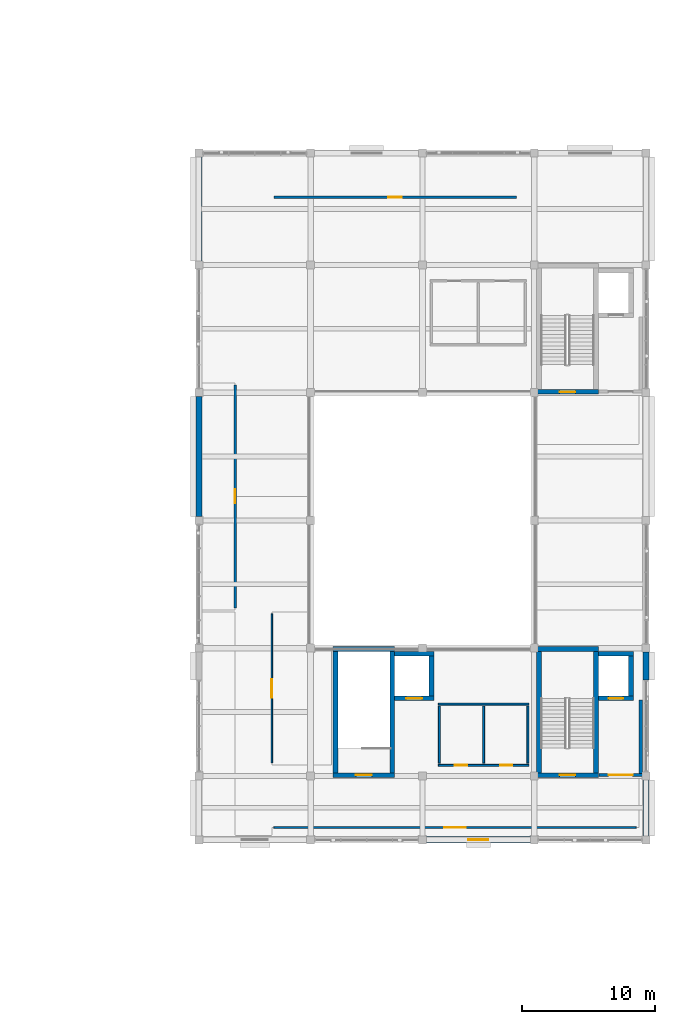
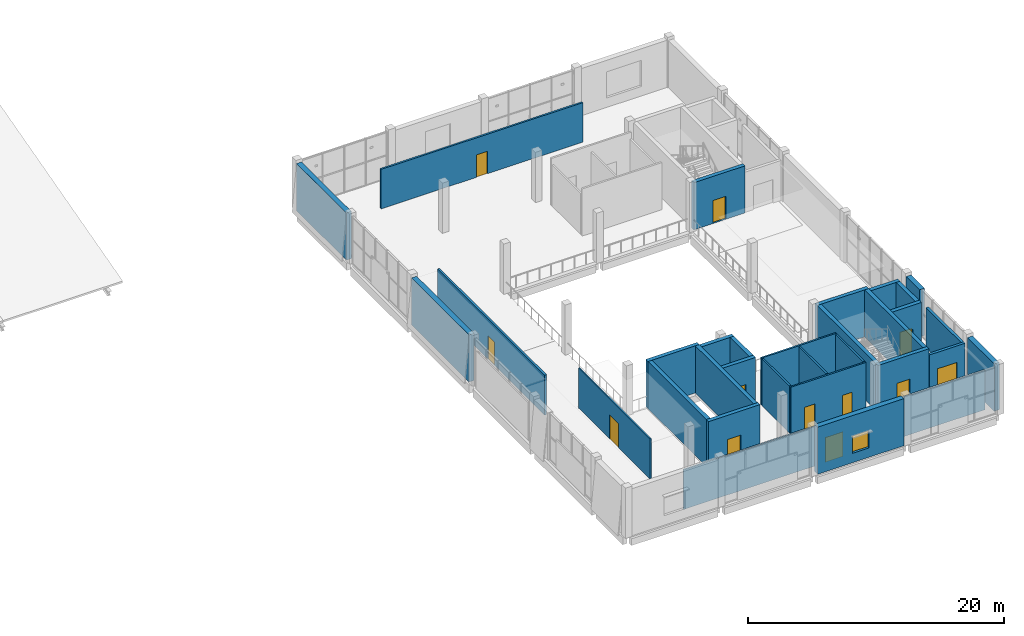
# One storey, part 28 of 37: 31 walls, 12 doors, 1 window, 13 openings.
"""IFC4 building model written with IfcOpenShell, lengths in metres."""

from ifc_helpers import new_model, si_unit, direction, frame, frame_2d, origin, place, context, subcontext, project, spatial, rectangle, extrude, material, layer, layer_set, type_object, element, fill, save


model = new_model("IFC4")

# Units and contexts
model_context = context("Model", 3, precision=1e-05, world=origin(), true_north=direction((0.0, 1.0)))
body_context = subcontext(model_context, "Body", "Model", "MODEL_VIEW")
ifc_project = project(units=[si_unit("LENGTHUNIT", "METRE"), si_unit("AREAUNIT", "SQUARE_METRE"), si_unit("VOLUMEUNIT", "CUBIC_METRE"), si_unit("PLANEANGLEUNIT", "RADIAN"), si_unit("MASSUNIT", "GRAM", prefix="KILO")], contexts=[model_context])

# Site, building, storey
site_placement = place(None, origin())
site = spatial("IfcSite", under=ifc_project, at=site_placement, CompositionType="ELEMENT")
building_placement = place(site_placement, origin())
building = spatial("IfcBuilding", under=site, at=building_placement, Name="Shalvenor Court Art Gallery", CompositionType="ELEMENT")
storey_placement = place(building_placement, frame((0.0, 0.0, 22.199951171875)))
storey = spatial("IfcBuildingStorey", under=building, at=storey_placement, Name="L04", CompositionType="ELEMENT", Elevation=22.199951171875)

# Wall, opening, door
ifc_material_1 = material(Name="Concrete C40/50", Category="concrete")
ifc_layer_1 = layer(ifc_material_1, 0.35009765625, Name="Concrete C40/50")
ifc_layer_set_1 = layer_set([ifc_layer_1], Name="Concrete C40/50")
wall_type_1 = type_object("IfcWallType", Name="CW-W1", PredefinedType="SHEAR", material=ifc_layer_set_1)
wall_1_placement = place(storey_placement, frame((172.81201171875, 79.262939453125, 0.0), z_axis=(0.0, 0.0, 1.0), x_axis=(-1.0, 0.0, 0.0)))
wall_1 = element("IfcWall", 1, at=wall_1_placement, inside=storey, type_object=wall_type_1, Name="L04 C1 Stair Core Shear Wall S", PredefinedType="SHEAR", context=body_context, shape_type="SweptSolid", body=[
    extrude(rectangle(XDim=4.6240234375, YDim=0.35009765625, at=frame_2d((2.31201171875, 0.0))), origin(), (0.0, 0.0, 1.0), 4.5),
])
opening_1_placement = place(wall_1_placement, frame((1.7119140625, 0.0, 0.0)))
opening_1 = element("IfcOpeningElement", 2, at=opening_1_placement, cuts=wall_1, Name="Opening FD-01", PredefinedType="OPENING", context=body_context, shape_type="SweptSolid", body=[
    extrude(rectangle(XDim=1.199951171875, YDim=2.199951171875, at=frame_2d((0.60009765625, 1.10009765625))), frame((0.0, 0.18505859375, 0.0), z_axis=(0.0, -1.0, 0.0), x_axis=(1.0, 0.0, 0.0)), (0.0, 0.0, 1.0), 0.3701171875),
])
ifc_material_2 = material(Name="Fire-rated steel stair doorset", Category="steel")
door_type_1 = type_object("IfcDoorType", Name="FD-01", OperationType="NOTDEFINED", PredefinedType="DOOR", material=ifc_material_2)
door_1_placement = place(opening_1_placement, origin())
door_1 = element("IfcDoor", 3, at=door_1_placement, inside=storey, type_object=door_type_1, Name="DR-ST-L04-C1 L04 ST-01 Fire Stair Door", OperationType="SINGLE_SWING_LEFT", OverallHeight=2.199951171875, OverallWidth=1.199951171875, PredefinedType="DOOR", context=body_context, shape_type="SweptSolid", body=[
    extrude(rectangle(XDim=1.199951171875, YDim=2.199951171875, at=frame_2d((0.60009765625, 1.10009765625))), frame((0.0, 0.02490234375, 0.0), z_axis=(0.0, -1.0, 0.0), x_axis=(1.0, 0.0, 0.0)), (0.0, 0.0, 1.0), 0.050048828125),
])
fill(opening_1, door_1)

# Walls
wall_2_placement = place(storey_placement, frame((168.18798828125, 59.93701171875, 0.0), z_axis=(0.0, 0.0, 1.0), x_axis=(1.0, 0.0, 0.0)))
element("IfcWall", 4, at=wall_2_placement, inside=storey, type_object=wall_type_1, Name="L04 C2 Stair Core Shear Wall N", PredefinedType="SHEAR", context=body_context, shape_type="SweptSolid", body=[
    extrude(rectangle(XDim=4.6240234375, YDim=0.35009765625, at=frame_2d((2.31201171875, 0.0))), origin(), (0.0, 0.0, 1.0), 4.5),
])
wall_3_placement = place(storey_placement, frame((172.636962890625, 59.761962890625, 0.0), z_axis=(0.0, 0.0, 1.0), x_axis=(0.0, -1.0, 0.0)))
element("IfcWall", 5, at=wall_3_placement, inside=storey, type_object=wall_type_1, Name="L04 C2 Stair Core Shear Wall E", PredefinedType="SHEAR", context=body_context, shape_type="SweptSolid", body=[
    extrude(rectangle(XDim=9.1240234375, YDim=0.35009765625, at=frame_2d((4.56201171875, 0.0))), origin(), (0.0, 0.0, 1.0), 4.5),
])

# Wall, opening, door
wall_4_placement = place(storey_placement, frame((172.81201171875, 50.462890625, 0.0), z_axis=(0.0, 0.0, 1.0), x_axis=(-1.0, 0.0, 0.0)))
wall_4 = element("IfcWall", 6, at=wall_4_placement, inside=storey, type_object=wall_type_1, Name="L04 C2 Stair Core Shear Wall S", PredefinedType="SHEAR", context=body_context, shape_type="SweptSolid", body=[
    extrude(rectangle(XDim=4.6240234375, YDim=0.35009765625, at=frame_2d((2.31201171875, 0.0))), origin(), (0.0, 0.0, 1.0), 4.5),
])
opening_2_placement = place(wall_4_placement, frame((1.7119140625, 0.0, 0.0)))
opening_2 = element("IfcOpeningElement", 7, at=opening_2_placement, cuts=wall_4, Name="Opening FD-01", PredefinedType="OPENING", context=body_context, shape_type="SweptSolid", body=[
    extrude(rectangle(XDim=1.199951171875, YDim=2.199951171875, at=frame_2d((0.60009765625, 1.10009765625))), frame((0.0, 0.18505859375, 0.0), z_axis=(0.0, -1.0, 0.0), x_axis=(1.0, 0.0, 0.0)), (0.0, 0.0, 1.0), 0.3701171875),
])
door_2_placement = place(opening_2_placement, origin())
door_2 = element("IfcDoor", 8, at=door_2_placement, inside=storey, type_object=door_type_1, Name="DR-ST-L04-C2 L04 ST-02 Fire Stair Door", OperationType="SINGLE_SWING_RIGHT", OverallHeight=2.199951171875, OverallWidth=1.199951171875, PredefinedType="DOOR", context=body_context, shape_type="SweptSolid", body=[
    extrude(rectangle(XDim=1.199951171875, YDim=2.199951171875, at=frame_2d((0.60009765625, 1.10009765625))), frame((0.0, 0.02490234375, 0.0), z_axis=(0.0, -1.0, 0.0), x_axis=(1.0, 0.0, 0.0)), (0.0, 0.0, 1.0), 0.050048828125),
])
fill(opening_2, door_2)

# Walls
wall_5_placement = place(storey_placement, frame((168.363037109375, 50.637939453125, 0.0), z_axis=(0.0, 0.0, 1.0), x_axis=(0.0, 1.0, 0.0)))
element("IfcWall", 9, at=wall_5_placement, inside=storey, type_object=wall_type_1, Name="L04 C2 Stair Core Shear Wall W", PredefinedType="SHEAR", context=body_context, shape_type="SweptSolid", body=[
    extrude(rectangle(XDim=9.1240234375, YDim=0.35009765625, at=frame_2d((4.56201171875, 0.0))), origin(), (0.0, 0.0, 1.0), 4.5),
])
wall_6_placement = place(storey_placement, frame((172.81201171875, 59.574951171875, 0.0), z_axis=(0.0, 0.0, 1.0), x_axis=(1.0, 0.0, 0.0)))
element("IfcWall", 10, at=wall_6_placement, inside=storey, type_object=wall_type_1, Name="L04 FL-02 Lift Shaft Wall N", PredefinedType="SHEAR", context=body_context, shape_type="SweptSolid", body=[
    extrude(rectangle(XDim=2.637939453125, YDim=0.35009765625, at=frame_2d((1.31884765625, 0.0))), origin(), (0.0, 0.0, 1.0), 4.5),
])
wall_7_placement = place(storey_placement, frame((175.27490234375, 59.39990234375, 0.0), z_axis=(0.0, 0.0, 1.0), x_axis=(0.0, -1.0, 0.0)))
element("IfcWall", 11, at=wall_7_placement, inside=storey, type_object=wall_type_1, Name="L04 FL-02 Lift Shaft Wall E", PredefinedType="SHEAR", context=body_context, shape_type="SweptSolid", body=[
    extrude(rectangle(XDim=3.0, YDim=0.35009765625, at=frame_2d((1.5, 0.0))), origin(), (0.0, 0.0, 1.0), 4.5),
])

# Wall, opening, door
wall_8_placement = place(storey_placement, frame((175.449951171875, 56.22509765625, 0.0), z_axis=(0.0, 0.0, 1.0), x_axis=(-1.0, 0.0, 0.0)))
wall_8 = element("IfcWall", 12, at=wall_8_placement, inside=storey, type_object=wall_type_1, Name="L04 FL-02 Lift Shaft Wall S", PredefinedType="SHEAR", context=body_context, shape_type="SweptSolid", body=[
    extrude(rectangle(XDim=2.637939453125, YDim=0.35009765625, at=frame_2d((1.31884765625, 0.0))), origin(), (0.0, 0.0, 1.0), 4.5),
])
opening_3_placement = place(wall_8_placement, frame((0.76904296875, 0.0, 0.0)))
opening_3 = element("IfcOpeningElement", 13, at=opening_3_placement, cuts=wall_8, Name="Opening LD-01", PredefinedType="OPENING", context=body_context, shape_type="SweptSolid", body=[
    extrude(rectangle(XDim=1.10009765625, YDim=2.199951171875, at=frame_2d((0.550048828125, 1.10009765625))), frame((0.0, 0.18505859375, 0.0), z_axis=(0.0, -1.0, 0.0), x_axis=(1.0, 0.0, 0.0)), (0.0, 0.0, 1.0), 0.3701171875),
])
ifc_material_3 = material(Name="Stainless steel firefighting lift sliding landing door", Category="steel")
door_type_2 = type_object("IfcDoorType", Name="LD-01", OperationType="NOTDEFINED", PredefinedType="DOOR", material=ifc_material_3)
door_3_placement = place(opening_3_placement, origin())
door_3 = element("IfcDoor", 14, at=door_3_placement, inside=storey, type_object=door_type_2, Name="DR-LD-L04-FL-02 L04 FL-02 Lift Landing Sliding Door", OperationType="DOUBLE_DOOR_SLIDING", OverallHeight=2.199951171875, OverallWidth=1.10009765625, PredefinedType="DOOR", context=body_context, shape_type="SweptSolid", body=[
    extrude(rectangle(XDim=1.10009765625, YDim=2.199951171875, at=frame_2d((0.550048828125, 1.10009765625))), frame((0.0, 0.02490234375, 0.0), z_axis=(0.0, -1.0, 0.0), x_axis=(1.0, 0.0, 0.0)), (0.0, 0.0, 1.0), 0.050048828125),
])
fill(opening_3, door_3)

# Walls
wall_9_placement = place(storey_placement, frame((152.887939453125, 59.93701171875, 0.0), z_axis=(0.0, 0.0, 1.0), x_axis=(1.0, 0.0, 0.0)))
element("IfcWall", 15, at=wall_9_placement, inside=storey, type_object=wall_type_1, Name="L04 C3 Stair Core Shear Wall N", PredefinedType="SHEAR", context=body_context, shape_type="SweptSolid", body=[
    extrude(rectangle(XDim=4.6240234375, YDim=0.35009765625, at=frame_2d((2.31201171875, 0.0))), origin(), (0.0, 0.0, 1.0), 4.5),
])
wall_10_placement = place(storey_placement, frame((157.3369140625, 59.761962890625, 0.0), z_axis=(0.0, 0.0, 1.0), x_axis=(0.0, -1.0, 0.0)))
element("IfcWall", 16, at=wall_10_placement, inside=storey, type_object=wall_type_1, Name="L04 C3 Stair Core Shear Wall E", PredefinedType="SHEAR", context=body_context, shape_type="SweptSolid", body=[
    extrude(rectangle(XDim=9.1240234375, YDim=0.35009765625, at=frame_2d((4.56201171875, 0.0))), origin(), (0.0, 0.0, 1.0), 4.5),
])

# Wall, opening, door
wall_11_placement = place(storey_placement, frame((157.511962890625, 50.462890625, 0.0), z_axis=(0.0, 0.0, 1.0), x_axis=(-1.0, 0.0, 0.0)))
wall_11 = element("IfcWall", 17, at=wall_11_placement, inside=storey, type_object=wall_type_1, Name="L04 C3 Stair Core Shear Wall S", PredefinedType="SHEAR", context=body_context, shape_type="SweptSolid", body=[
    extrude(rectangle(XDim=4.6240234375, YDim=0.35009765625, at=frame_2d((2.31201171875, 0.0))), origin(), (0.0, 0.0, 1.0), 4.5),
])
opening_4_placement = place(wall_11_placement, frame((1.7119140625, 0.0, 0.0)))
opening_4 = element("IfcOpeningElement", 18, at=opening_4_placement, cuts=wall_11, Name="Opening FD-01", PredefinedType="OPENING", context=body_context, shape_type="SweptSolid", body=[
    extrude(rectangle(XDim=1.199951171875, YDim=2.199951171875, at=frame_2d((0.60009765625, 1.10009765625))), frame((0.0, 0.18505859375, 0.0), z_axis=(0.0, -1.0, 0.0), x_axis=(1.0, 0.0, 0.0)), (0.0, 0.0, 1.0), 0.3701171875),
])
door_4_placement = place(opening_4_placement, origin())
door_4 = element("IfcDoor", 19, at=door_4_placement, inside=storey, type_object=door_type_1, Name="DR-ST-L04-C3 L04 ST-03 Fire Stair Door", OperationType="SINGLE_SWING_LEFT", OverallHeight=2.199951171875, OverallWidth=1.199951171875, PredefinedType="DOOR", context=body_context, shape_type="SweptSolid", body=[
    extrude(rectangle(XDim=1.199951171875, YDim=2.199951171875, at=frame_2d((0.60009765625, 1.10009765625))), frame((0.0, 0.02490234375, 0.0), z_axis=(0.0, -1.0, 0.0), x_axis=(1.0, 0.0, 0.0)), (0.0, 0.0, 1.0), 0.050048828125),
])
fill(opening_4, door_4)

# Walls
wall_12_placement = place(storey_placement, frame((153.06298828125, 50.637939453125, 0.0), z_axis=(0.0, 0.0, 1.0), x_axis=(0.0, 1.0, 0.0)))
element("IfcWall", 20, at=wall_12_placement, inside=storey, type_object=wall_type_1, Name="L04 C3 Stair Core Shear Wall W", PredefinedType="SHEAR", context=body_context, shape_type="SweptSolid", body=[
    extrude(rectangle(XDim=9.1240234375, YDim=0.35009765625, at=frame_2d((4.56201171875, 0.0))), origin(), (0.0, 0.0, 1.0), 4.5),
])
wall_13_placement = place(storey_placement, frame((157.511962890625, 59.574951171875, 0.0), z_axis=(0.0, 0.0, 1.0), x_axis=(1.0, 0.0, 0.0)))
element("IfcWall", 21, at=wall_13_placement, inside=storey, type_object=wall_type_1, Name="L04 PL-01 Lift Shaft Wall N", PredefinedType="SHEAR", context=body_context, shape_type="SweptSolid", body=[
    extrude(rectangle(XDim=2.93798828125, YDim=0.35009765625, at=frame_2d((1.468994140625, 0.0))), origin(), (0.0, 0.0, 1.0), 4.5),
])
wall_14_placement = place(storey_placement, frame((160.27490234375, 59.39990234375, 0.0), z_axis=(0.0, 0.0, 1.0), x_axis=(0.0, -1.0, 0.0)))
element("IfcWall", 22, at=wall_14_placement, inside=storey, type_object=wall_type_1, Name="L04 PL-01 Lift Shaft Wall E", PredefinedType="SHEAR", context=body_context, shape_type="SweptSolid", body=[
    extrude(rectangle(XDim=3.0, YDim=0.35009765625, at=frame_2d((1.5, 0.0))), origin(), (0.0, 0.0, 1.0), 4.5),
])

# Wall, opening, door
wall_15_placement = place(storey_placement, frame((160.449951171875, 56.22509765625, 0.0), z_axis=(0.0, 0.0, 1.0), x_axis=(-1.0, 0.0, 0.0)))
wall_15 = element("IfcWall", 23, at=wall_15_placement, inside=storey, type_object=wall_type_1, Name="L04 PL-01 Lift Shaft Wall S", PredefinedType="SHEAR", context=body_context, shape_type="SweptSolid", body=[
    extrude(rectangle(XDim=2.93798828125, YDim=0.35009765625, at=frame_2d((1.468994140625, 0.0))), origin(), (0.0, 0.0, 1.0), 4.5),
])
opening_5_placement = place(wall_15_placement, frame((0.868896484375, 0.0, 0.0)))
opening_5 = element("IfcOpeningElement", 24, at=opening_5_placement, cuts=wall_15, Name="Opening LD-02", PredefinedType="OPENING", context=body_context, shape_type="SweptSolid", body=[
    extrude(rectangle(XDim=1.199951171875, YDim=2.199951171875, at=frame_2d((0.60009765625, 1.10009765625))), frame((0.0, 0.18505859375, 0.0), z_axis=(0.0, -1.0, 0.0), x_axis=(1.0, 0.0, 0.0)), (0.0, 0.0, 1.0), 0.3701171875),
])
ifc_material_4 = material(Name="Brushed stainless passenger lift sliding landing door", Category="steel")
door_type_3 = type_object("IfcDoorType", Name="LD-02", OperationType="NOTDEFINED", PredefinedType="DOOR", material=ifc_material_4)
door_5_placement = place(opening_5_placement, origin())
door_5 = element("IfcDoor", 25, at=door_5_placement, inside=storey, type_object=door_type_3, Name="DR-LD-L04-PL-01 L04 PL-01 Lift Landing Sliding Door", OperationType="DOUBLE_DOOR_SLIDING", OverallHeight=2.199951171875, OverallWidth=1.199951171875, PredefinedType="DOOR", context=body_context, shape_type="SweptSolid", body=[
    extrude(rectangle(XDim=1.199951171875, YDim=2.199951171875, at=frame_2d((0.60009765625, 1.10009765625))), frame((0.0, 0.02490234375, 0.0), z_axis=(0.0, -1.0, 0.0), x_axis=(1.0, 0.0, 0.0)), (0.0, 0.0, 1.0), 0.050048828125),
])
fill(opening_5, door_5)

# Walls
ifc_material_5 = material(Name="Concrete C40/50", Category="concrete")
ifc_layer_2 = layer(ifc_material_5, 0.4599609375, Name="Concrete C40/50")
ifc_layer_set_2 = layer_set([ifc_layer_2], Name="Concrete C40/50")
wall_type_2 = type_object("IfcWallType", Name="EW-01", PredefinedType="SOLIDWALL", material=ifc_layer_set_2)
wall_16_placement = place(storey_placement, frame((176.39990234375, 59.699951171875, 0.0), z_axis=(0.0, 0.0, 1.0), x_axis=(0.0, -1.0, 0.0)))
element("IfcWall", 26, at=wall_16_placement, inside=storey, type_object=wall_type_2, Name="L04 V1 Exterior Wall WL-L04-0090", PredefinedType="SOLIDWALL", context=body_context, shape_type="SweptSolid", body=[
    extrude(rectangle(XDim=2.099853515625, YDim=0.4599609375, at=frame_2d((1.0498046875, 0.0))), origin(), (0.0, 0.0, 1.0), 4.5),
])
wall_17_placement = place(storey_placement, frame((176.39990234375, 50.10009765625, 0.0), z_axis=(0.0, 0.0, 1.0), x_axis=(0.0, -1.0, 0.0)))
element("IfcWall", 27, at=wall_17_placement, inside=storey, type_object=wall_type_2, Name="L04 V1 Exterior Wall WL-L04-0091", PredefinedType="SOLIDWALL", context=body_context, shape_type="SweptSolid", body=[
    extrude(rectangle(XDim=4.2001953125, YDim=0.4599609375, at=frame_2d((2.10009765625, 0.0))), origin(), (0.0, 0.0, 1.0), 4.5),
])

# Wall, opening, window
wall_18_placement = place(storey_placement, frame((167.699951171875, 45.60009765625, 0.0), z_axis=(0.0, 0.0, 1.0), x_axis=(-1.0, 0.0, 0.0)))
wall_18 = element("IfcWall", 28, at=wall_18_placement, inside=storey, type_object=wall_type_2, Name="L04 V1 Exterior Wall WL-L04-0092", PredefinedType="SOLIDWALL", context=body_context, shape_type="SweptSolid", body=[
    extrude(rectangle(XDim=7.800048828125, YDim=0.4599609375, at=frame_2d((3.89990234375, 0.0))), origin(), (0.0, 0.0, 1.0), 4.5),
])
opening_6_placement = place(wall_18_placement, frame((3.14990234375, 0.0, 0.89990234375)))
opening_6 = element("IfcOpeningElement", 29, at=opening_6_placement, cuts=wall_18, Name="Opening WN-19", PredefinedType="OPENING", context=body_context, shape_type="SweptSolid", body=[
    extrude(rectangle(XDim=1.5, YDim=1.64990234375, at=frame_2d((0.75, 0.824951171875))), frame((0.0, 0.239990234375, 0.0), z_axis=(0.0, -1.0, 0.0), x_axis=(1.0, 0.0, 0.0)), (0.0, 0.0, 1.0), 0.47998046875),
])
ifc_material_6 = material(Name="Acoustic laminated studio IGU", Category="glass")
window_type = type_object("IfcWindowType", Name="WN-19", PartitioningType="SINGLE_PANEL", PredefinedType="WINDOW", material=ifc_material_6)
window_placement = place(opening_6_placement, origin())
window = element("IfcWindow", 30, at=window_placement, inside=storey, type_object=window_type, Name="L04 Window WIN-L04-0019", OverallHeight=1.64990234375, OverallWidth=1.5, PartitioningType="SINGLE_PANEL", PredefinedType="WINDOW", context=body_context, shape_type="SweptSolid", body=[
    extrude(rectangle(XDim=1.5, YDim=1.64990234375, at=frame_2d((0.75, 0.824951171875))), frame((0.0, 0.030029296875, 0.0), z_axis=(0.0, -1.0, 0.0), x_axis=(1.0, 0.0, 0.0)), (0.0, 0.0, 1.0), 0.06005859375),
])
fill(opening_6, window)

# Walls
wall_19_placement = place(storey_placement, frame((142.800048828125, 69.89990234375, 0.0), z_axis=(0.0, 0.0, 1.0), x_axis=(0.0, 1.0, 0.0)))
element("IfcWall", 31, at=wall_19_placement, inside=storey, type_object=wall_type_2, Name="L04 V1 Exterior Wall WL-L04-0096", PredefinedType="SOLIDWALL", context=body_context, shape_type="SweptSolid", body=[
    extrude(rectangle(XDim=9.0, YDim=0.4599609375, at=frame_2d((4.5, 0.0))), origin(), (0.0, 0.0, 1.0), 4.5),
])
wall_20_placement = place(storey_placement, frame((142.800048828125, 89.10009765625, 0.0), z_axis=(0.0, 0.0, 1.0), x_axis=(0.0, 1.0, 0.0)))
element("IfcWall", 32, at=wall_20_placement, inside=storey, type_object=wall_type_2, Name="L04 V1 Exterior Wall WL-L04-0097", PredefinedType="SOLIDWALL", context=body_context, shape_type="SweptSolid", body=[
    extrude(rectangle(XDim=7.7998046875, YDim=0.4599609375, at=frame_2d((3.89990234375, 0.0))), origin(), (0.0, 0.0, 1.0), 4.5),
])
ifc_material_7 = material(Name="Concrete blockwork fire wall", Category="masonry")
ifc_layer_3 = layer(ifc_material_7, 0.239990234375, Name="Concrete blockwork fire wall")
ifc_layer_set_3 = layer_set([ifc_layer_3], Name="Concrete blockwork fire wall")
wall_type_3 = type_object("IfcWallType", Name="FW-01", PredefinedType="PARTITIONING", material=ifc_layer_set_3)
wall_21_placement = place(storey_placement, frame((176.0, 56.10009765625, 0.0), z_axis=(0.0, 0.0, 1.0), x_axis=(0.0, -1.0, 0.0)))
element("IfcWall", 33, at=wall_21_placement, inside=storey, type_object=wall_type_3, Name="L04 C2 Firefighting Lobby Wall E", PredefinedType="PARTITIONING", context=body_context, shape_type="SweptSolid", body=[
    extrude(rectangle(XDim=5.5, YDim=0.239990234375, at=frame_2d((2.75, 0.0))), origin(), (0.0, 0.0, 1.0), 3.824951171875),
])

# Wall, opening, door
wall_22_placement = place(storey_placement, frame((176.1201171875, 50.47998046875, 0.0), z_axis=(0.0, 0.0, 1.0), x_axis=(-1.0, 0.0, 0.0)))
wall_22 = element("IfcWall", 34, at=wall_22_placement, inside=storey, type_object=wall_type_3, Name="L04 C2 Firefighting Lobby Wall S", PredefinedType="PARTITIONING", context=body_context, shape_type="SweptSolid", body=[
    extrude(rectangle(XDim=3.25, YDim=0.239990234375, at=frame_2d((1.625, 0.0))), origin(), (0.0, 0.0, 1.0), 3.824951171875),
])
opening_7_placement = place(wall_22_placement, frame((0.72509765625, 0.0, 0.0)))
opening_7 = element("IfcOpeningElement", 35, at=opening_7_placement, cuts=wall_22, Name="Opening FD-02", PredefinedType="OPENING", context=body_context, shape_type="SweptSolid", body=[
    extrude(rectangle(XDim=1.800048828125, YDim=2.25, at=frame_2d((0.89990234375, 1.125))), frame((0.0, 0.1298828125, 0.0), z_axis=(0.0, -1.0, 0.0), x_axis=(1.0, 0.0, 0.0)), (0.0, 0.0, 1.0), 0.260009765625),
])
ifc_material_8 = material(Name="Fire-rated double lobby doorset", Category="steel")
door_type_4 = type_object("IfcDoorType", Name="FD-02", OperationType="NOTDEFINED", PredefinedType="DOOR", material=ifc_material_8)
door_6_placement = place(opening_7_placement, origin())
door_6 = element("IfcDoor", 36, at=door_6_placement, inside=storey, type_object=door_type_4, Name="DR-FFL-L04-C2 L04 C2 Firefighting Lobby Double Door", OperationType="DOUBLE_DOOR_SINGLE_SWING", OverallHeight=2.25, OverallWidth=1.800048828125, PredefinedType="DOOR", context=body_context, shape_type="SweptSolid", body=[
    extrude(rectangle(XDim=1.800048828125, YDim=2.25, at=frame_2d((0.89990234375, 1.125))), frame((0.0, 0.02490234375, 0.0), z_axis=(0.0, -1.0, 0.0), x_axis=(1.0, 0.0, 0.0)), (0.0, 0.0, 1.0), 0.050048828125),
])
fill(opening_7, door_6)

ifc_material_9 = material(Name="Plywood-backed acoustic art-hanging partition", Category="wood")
ifc_layer_4 = layer(ifc_material_9, 0.179931640625, Name="Plywood-backed acoustic art-hanging partition")
ifc_layer_set_4 = layer_set([ifc_layer_4], Name="Plywood-backed acoustic art-hanging partition")
wall_type_4 = type_object("IfcWallType", Name="PT-01", PredefinedType="PARTITIONING", material=ifc_layer_set_4)
wall_23_placement = place(storey_placement, frame((145.52001953125, 79.77001953125, 0.0), z_axis=(0.0, 0.0, 1.0), x_axis=(0.0, -1.0, 0.0)))
wall_23 = element("IfcWall", 37, at=wall_23_placement, inside=storey, type_object=wall_type_4, Name="L04 Print Study Cabinet Wing B Partition 665", PredefinedType="PARTITIONING", context=body_context, shape_type="SweptSolid", body=[
    extrude(rectangle(XDim=16.739990234375, YDim=0.179931640625, at=frame_2d((8.3701171875, 0.0))), origin(), (0.0, 0.0, 1.0), 3.824951171875),
])
opening_8_placement = place(wall_23_placement, frame((7.844970703125, 0.0, 0.0)))
opening_8 = element("IfcOpeningElement", 38, at=opening_8_placement, cuts=wall_23, Name="Opening ID-04", PredefinedType="OPENING", context=body_context, shape_type="SweptSolid", body=[
    extrude(rectangle(XDim=1.050048828125, YDim=2.199951171875, at=frame_2d((0.52490234375, 1.10009765625))), frame((0.0, 0.099853515625, 0.0), z_axis=(0.0, -1.0, 0.0), x_axis=(1.0, 0.0, 0.0)), (0.0, 0.0, 1.0), 0.199951171875),
])
ifc_material_10 = material(Name="Oak-veneered accessible room doorset", Category="wood")
door_type_5 = type_object("IfcDoorType", Name="ID-04", OperationType="NOTDEFINED", PredefinedType="DOOR", material=ifc_material_10)
door_7_placement = place(opening_8_placement, origin())
door_7 = element("IfcDoor", 39, at=door_7_placement, inside=storey, type_object=door_type_5, Name="DR-RM-L04-0196 L04 Print Study Cabinet Wing B Door", OperationType="SINGLE_SWING_LEFT", OverallHeight=2.199951171875, OverallWidth=1.050048828125, PredefinedType="DOOR", context=body_context, shape_type="SweptSolid", body=[
    extrude(rectangle(XDim=1.050048828125, YDim=2.199951171875, at=frame_2d((0.52490234375, 1.10009765625))), frame((0.0, 0.02490234375, 0.0), z_axis=(0.0, -1.0, 0.0), x_axis=(1.0, 0.0, 0.0)), (0.0, 0.0, 1.0), 0.050048828125),
])
fill(opening_8, door_7)

ifc_material_11 = material(Name="Double-stud acoustic gallery partition", Category="other")
ifc_layer_5 = layer(ifc_material_11, 0.1650390625, Name="Double-stud acoustic gallery partition")
ifc_layer_set_5 = layer_set([ifc_layer_5], Name="Double-stud acoustic gallery partition")
wall_type_5 = type_object("IfcWallType", Name="PT-02", PredefinedType="PARTITIONING", material=ifc_layer_set_5)
wall_24_placement = place(storey_placement, frame((166.64990234375, 93.8798828125, 0.0), z_axis=(0.0, 0.0, 1.0), x_axis=(-1.0, 0.0, 0.0)))
wall_24 = element("IfcWall", 40, at=wall_24_placement, inside=storey, type_object=wall_type_5, Name="L04 Curatorial Archive Office Partition 666", PredefinedType="PARTITIONING", context=body_context, shape_type="SweptSolid", body=[
    extrude(rectangle(XDim=18.219970703125, YDim=0.1650390625, at=frame_2d((9.10986328125, 0.0))), origin(), (0.0, 0.0, 1.0), 3.775146484375),
])
opening_9_placement = place(wall_24_placement, frame((8.610107421875, 0.0, 0.0)))
opening_9 = element("IfcOpeningElement", 41, at=opening_9_placement, cuts=wall_24, Name="Opening ID-05", PredefinedType="OPENING", context=body_context, shape_type="SweptSolid", body=[
    extrude(rectangle(XDim=1.0, YDim=2.14990234375, at=frame_2d((0.5, 1.074951171875))), frame((0.0, 0.092529296875, 0.0), z_axis=(0.0, -1.0, 0.0), x_axis=(1.0, 0.0, 0.0)), (0.0, 0.0, 1.0), 0.18505859375),
])
ifc_material_12 = material(Name="Timber office single doorset", Category="wood")
door_type_6 = type_object("IfcDoorType", Name="ID-05", OperationType="NOTDEFINED", PredefinedType="DOOR", material=ifc_material_12)
door_8_placement = place(opening_9_placement, origin())
door_8 = element("IfcDoor", 42, at=door_8_placement, inside=storey, type_object=door_type_6, Name="DR-RM-L04-0197 L04 Curatorial Archive Office Door", OperationType="SINGLE_SWING_RIGHT", OverallHeight=2.14990234375, OverallWidth=1.0, PredefinedType="DOOR", context=body_context, shape_type="SweptSolid", body=[
    extrude(rectangle(XDim=1.0, YDim=2.14990234375, at=frame_2d((0.5, 1.074951171875))), frame((0.0, 0.02490234375, 0.0), z_axis=(0.0, -1.0, 0.0), x_axis=(1.0, 0.0, 0.0)), (0.0, 0.0, 1.0), 0.050048828125),
])
fill(opening_9, door_8)

# Wall, openings, doors
ifc_material_13 = material(Name="Moisture-resistant sanitary partition", Category="other")
ifc_layer_6 = layer(ifc_material_13, 0.14990234375, Name="Moisture-resistant sanitary partition")
ifc_layer_set_6 = layer_set([ifc_layer_6], Name="Moisture-resistant sanitary partition")
wall_type_6 = type_object("IfcWallType", Name="PT-03", PredefinedType="PARTITIONING", material=ifc_layer_set_6)
wall_25_placement = place(storey_placement, frame((167.60009765625, 51.199951171875, 0.0), z_axis=(0.0, 0.0, 1.0), x_axis=(-1.0, 0.0, 0.0)))
wall_25 = element("IfcWall", 43, at=wall_25_placement, inside=storey, type_object=wall_type_6, Name="L04 C2 Restroom Front Partition", PredefinedType="PARTITIONING", context=body_context, shape_type="SweptSolid", body=[
    extrude(rectangle(XDim=6.800048828125, YDim=0.14990234375, at=frame_2d((3.39990234375, 0.0))), origin(), (0.0, 0.0, 1.0), 4.5),
])
opening_10_placement = place(wall_25_placement, frame((1.25, 0.0, 0.0)))
opening_10 = element("IfcOpeningElement", 44, at=opening_10_placement, cuts=wall_25, Name="Opening ID-07", PredefinedType="OPENING", context=body_context, shape_type="SweptSolid", body=[
    extrude(rectangle(XDim=0.89990234375, YDim=2.10009765625, at=frame_2d((0.449951171875, 1.050048828125))), frame((0.0, 0.0849609375, 0.0), z_axis=(0.0, -1.0, 0.0), x_axis=(1.0, 0.0, 0.0)), (0.0, 0.0, 1.0), 0.169921875),
])
opening_11_placement = place(wall_25_placement, frame((4.625, 0.0, 0.0)))
opening_11 = element("IfcOpeningElement", 45, at=opening_11_placement, cuts=wall_25, Name="Opening ID-06", PredefinedType="OPENING", context=body_context, shape_type="SweptSolid", body=[
    extrude(rectangle(XDim=0.949951171875, YDim=2.14990234375, at=frame_2d((0.47509765625, 1.074951171875))), frame((0.0, 0.0849609375, 0.0), z_axis=(0.0, -1.0, 0.0), x_axis=(1.0, 0.0, 0.0)), (0.0, 0.0, 1.0), 0.169921875),
])
ifc_material_14 = material(Name="Accessible restroom doorset", Category="steel")
door_type_7 = type_object("IfcDoorType", Name="ID-06", OperationType="NOTDEFINED", PredefinedType="DOOR", material=ifc_material_14)
door_9_placement = place(opening_11_placement, origin())
door_9 = element("IfcDoor", 46, at=door_9_placement, inside=storey, type_object=door_type_7, Name="DR-AWC-L04-C2-2 L04 C2 Accessible Restroom Door", OperationType="SINGLE_SWING_RIGHT", OverallHeight=2.14990234375, OverallWidth=0.949951171875, PredefinedType="DOOR", context=body_context, shape_type="SweptSolid", body=[
    extrude(rectangle(XDim=0.949951171875, YDim=2.14990234375, at=frame_2d((0.47509765625, 1.074951171875))), frame((0.0, 0.02490234375, 0.0), z_axis=(0.0, -1.0, 0.0), x_axis=(1.0, 0.0, 0.0)), (0.0, 0.0, 1.0), 0.050048828125),
])
fill(opening_11, door_9)
ifc_material_15 = material(Name="Restroom timber doorset", Category="wood")
door_type_8 = type_object("IfcDoorType", Name="ID-07", OperationType="NOTDEFINED", PredefinedType="DOOR", material=ifc_material_15)
door_10_placement = place(opening_10_placement, origin())
door_10 = element("IfcDoor", 47, at=door_10_placement, inside=storey, type_object=door_type_8, Name="DR-WC-L04-C2-1 L04 C2 Public Restroom Door", OperationType="SINGLE_SWING_LEFT", OverallHeight=2.10009765625, OverallWidth=0.89990234375, PredefinedType="DOOR", context=body_context, shape_type="SweptSolid", body=[
    extrude(rectangle(XDim=0.89990234375, YDim=2.10009765625, at=frame_2d((0.449951171875, 1.050048828125))), frame((0.0, 0.02490234375, 0.0), z_axis=(0.0, -1.0, 0.0), x_axis=(1.0, 0.0, 0.0)), (0.0, 0.0, 1.0), 0.050048828125),
])
fill(opening_10, door_10)

# Walls
wall_26_placement = place(storey_placement, frame((160.800048828125, 55.800048828125, 0.0), z_axis=(0.0, 0.0, 1.0), x_axis=(1.0, 0.0, 0.0)))
element("IfcWall", 48, at=wall_26_placement, inside=storey, type_object=wall_type_6, Name="L04 C2 Restroom Back Partition", PredefinedType="PARTITIONING", context=body_context, shape_type="SweptSolid", body=[
    extrude(rectangle(XDim=6.800048828125, YDim=0.14990234375, at=frame_2d((3.39990234375, 0.0))), origin(), (0.0, 0.0, 1.0), 4.5),
])
for number, where, z_axis, x_axis, name in (
    (49, (160.875, 51.360107421875, 0.0), (0.0, 0.0, 1.0), (0.0, 1.0, 0.0), "L04 C2 Restroom Partition L"),
    (50, (164.199951171875, 51.360107421875, 0.0), (0.0, 0.0, 1.0), (0.0, 1.0, 0.0), "L04 C2 Restroom Partition M"),
    (51, (167.52490234375, 51.360107421875, 0.0), (0.0, 0.0, 1.0), (0.0, 1.0, 0.0), "L04 C2 Restroom Partition R"),
):
    element("IfcWall", number, at=place(storey_placement, frame(where, z_axis=z_axis, x_axis=x_axis)), inside=storey, type_object=wall_type_6, Name=name, PredefinedType="PARTITIONING", context=body_context, shape_type="SweptSolid", body=[
        extrude(rectangle(XDim=4.27978515625, YDim=0.14990234375, at=frame_2d((2.139892578125, 0.0))), origin(), (0.0, 0.0, 1.0), 4.5),
    ])

# Wall, opening, door
ifc_material_16 = material(Name="Insulated studio acoustic partition", Category="other")
ifc_layer_7 = layer(ifc_material_16, 0.135009765625, Name="Insulated studio acoustic partition")
ifc_layer_set_7 = layer_set([ifc_layer_7], Name="Insulated studio acoustic partition")
wall_type_7 = type_object("IfcWallType", Name="PT-04", PredefinedType="PARTITIONING", material=ifc_layer_set_7)
wall_27_placement = place(storey_placement, frame((148.429931640625, 46.52001953125, 0.0), z_axis=(0.0, 0.0, 1.0), x_axis=(1.0, 0.0, 0.0)))
wall_27 = element("IfcWall", 52, at=wall_27_placement, inside=storey, type_object=wall_type_7, Name="L04 Permanent Painting Gallery Partition 663", PredefinedType="PARTITIONING", context=body_context, shape_type="SweptSolid", body=[
    extrude(rectangle(XDim=27.219970703125, YDim=0.135009765625, at=frame_2d((13.60986328125, 0.0))), origin(), (0.0, 0.0, 1.0), 3.775146484375),
])
opening_12_placement = place(wall_27_placement, frame((12.81005859375, 0.0, 0.0)))
opening_12 = element("IfcOpeningElement", 53, at=opening_12_placement, cuts=wall_27, Name="Opening ID-02", PredefinedType="OPENING", context=body_context, shape_type="SweptSolid", body=[
    extrude(rectangle(XDim=1.60009765625, YDim=2.35009765625, at=frame_2d((0.800048828125, 1.175048828125))), frame((0.0, 0.077392578125, 0.0), z_axis=(0.0, -1.0, 0.0), x_axis=(1.0, 0.0, 0.0)), (0.0, 0.0, 1.0), 0.155029296875),
])
ifc_material_17 = material(Name="Oak-veneered gallery double doorset", Category="wood")
door_type_9 = type_object("IfcDoorType", Name="ID-02", OperationType="NOTDEFINED", PredefinedType="DOOR", material=ifc_material_17)
door_11_placement = place(opening_12_placement, origin())
door_11 = element("IfcDoor", 54, at=door_11_placement, inside=storey, type_object=door_type_9, Name="DR-RM-L04-0194 L04 Permanent Painting Gallery Door", OperationType="DOUBLE_DOOR_SINGLE_SWING", OverallHeight=2.35009765625, OverallWidth=1.60009765625, PredefinedType="DOOR", context=body_context, shape_type="SweptSolid", body=[
    extrude(rectangle(XDim=1.60009765625, YDim=2.35009765625, at=frame_2d((0.800048828125, 1.175048828125))), frame((0.0, 0.02490234375, 0.0), z_axis=(0.0, -1.0, 0.0), x_axis=(1.0, 0.0, 0.0)), (0.0, 0.0, 1.0), 0.050048828125),
])
fill(opening_12, door_11)

ifc_material_18 = material(Name="Lightweight office gypsum partition", Category="other")
ifc_layer_8 = layer(ifc_material_18, 0.1201171875, Name="Lightweight office gypsum partition")
ifc_layer_set_8 = layer_set([ifc_layer_8], Name="Lightweight office gypsum partition")
wall_type_8 = type_object("IfcWallType", Name="PT-05", PredefinedType="PARTITIONING", material=ifc_layer_set_8)
wall_28_placement = place(storey_placement, frame((148.280029296875, 51.3798828125, 0.0), z_axis=(0.0, 0.0, 1.0), x_axis=(0.0, 1.0, 0.0)))
wall_28 = element("IfcWall", 55, at=wall_28_placement, inside=storey, type_object=wall_type_8, Name="L04 Permanent Painting Gallery Wing B Partition 664", PredefinedType="PARTITIONING", context=body_context, shape_type="SweptSolid", body=[
    extrude(rectangle(XDim=11.190185546875, YDim=0.1201171875, at=frame_2d((5.59521484375, 0.0))), origin(), (0.0, 0.0, 1.0), 3.824951171875),
])
opening_13_placement = place(wall_28_placement, frame((4.89501953125, 0.0, 0.0)))
opening_13 = element("IfcOpeningElement", 56, at=opening_13_placement, cuts=wall_28, Name="Opening ID-03", PredefinedType="OPENING", context=body_context, shape_type="SweptSolid", body=[
    extrude(rectangle(XDim=1.39990234375, YDim=2.300048828125, at=frame_2d((0.699951171875, 1.14990234375))), frame((0.0, 0.070068359375, 0.0), z_axis=(0.0, -1.0, 0.0), x_axis=(1.0, 0.0, 0.0)), (0.0, 0.0, 1.0), 0.14013671875),
])
ifc_material_19 = material(Name="Timber studio double leaf doorset", Category="wood")
door_type_10 = type_object("IfcDoorType", Name="ID-03", OperationType="NOTDEFINED", PredefinedType="DOOR", material=ifc_material_19)
door_12_placement = place(opening_13_placement, origin())
door_12 = element("IfcDoor", 57, at=door_12_placement, inside=storey, type_object=door_type_10, Name="DR-RM-L04-0195 L04 Permanent Painting Gallery Wing B Door", OperationType="DOUBLE_DOOR_SINGLE_SWING", OverallHeight=2.300048828125, OverallWidth=1.39990234375, PredefinedType="DOOR", context=body_context, shape_type="SweptSolid", body=[
    extrude(rectangle(XDim=1.39990234375, YDim=2.300048828125, at=frame_2d((0.699951171875, 1.14990234375))), frame((0.0, 0.02490234375, 0.0), z_axis=(0.0, -1.0, 0.0), x_axis=(1.0, 0.0, 0.0)), (0.0, 0.0, 1.0), 0.050048828125),
])
fill(opening_13, door_12)

save(model, "model.ifc")
